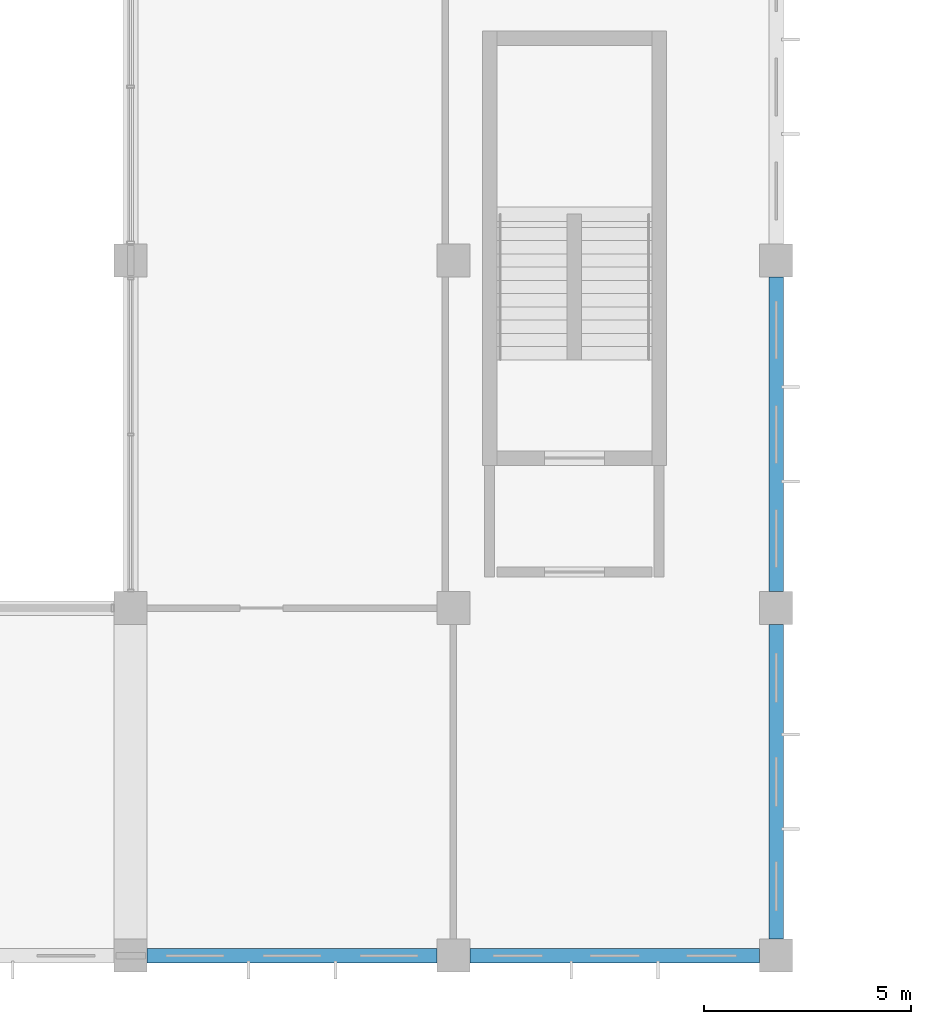
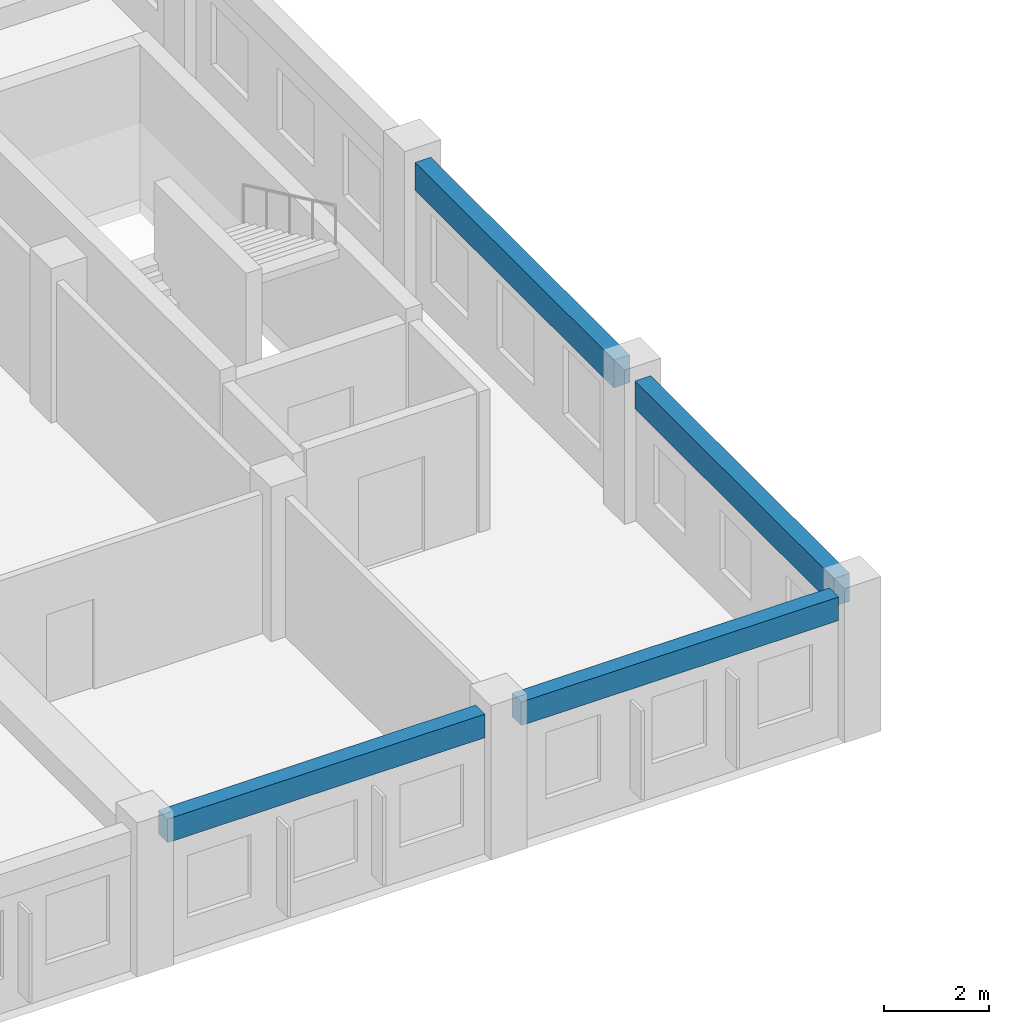
# One storey, part 15 of 50: 4 beams.
"""IFC4 building model written with IfcOpenShell, lengths in metres."""

from ifc_helpers import new_model, si_unit, direction, frame, origin, origin_2d, place, context, subcontext, project, spatial, rectangle, extrude, material, material_profile, profile_set, type_object, element, save


model = new_model("IFC4")

# Units and contexts
model_context = context("Model", 3, precision=1e-05, world=origin(), true_north=direction((0.0, 1.0)))
body_context = subcontext(model_context, "Body", "Model", "MODEL_VIEW")
ifc_project = project(units=[si_unit("LENGTHUNIT", "METRE"), si_unit("AREAUNIT", "SQUARE_METRE"), si_unit("VOLUMEUNIT", "CUBIC_METRE"), si_unit("PLANEANGLEUNIT", "RADIAN"), si_unit("MASSUNIT", "GRAM", prefix="KILO"), si_unit("THERMODYNAMICTEMPERATUREUNIT", "KELVIN"), si_unit("POWERUNIT", "WATT")], contexts=[model_context])

# Site, building, storey
site_placement = place(None, origin())
site = spatial("IfcSite", under=ifc_project, at=site_placement, CompositionType="ELEMENT")
building_placement = place(site_placement, origin())
building = spatial("IfcBuilding", under=site, at=building_placement, Name="Srebrne Nadtorze General Hospital", CompositionType="ELEMENT")
storey_placement = place(building_placement, frame((0.0, 0.0, 14.39990234375)))
storey = spatial("IfcBuildingStorey", under=building, at=storey_placement, Name="L03", CompositionType="ELEMENT", Elevation=14.39990234375)

# Beams
ifc_material_1 = material(Name="Concrete C35/45", Category="concrete")
ifc_material_profile_1 = material_profile(ifc_material_1, rectangle(XDim=0.35009765625, YDim=0.64990234375, at=origin_2d()), Name="RC-BM-350x650")
ifc_profile_set_1 = profile_set([ifc_material_profile_1], Name="Concrete C35/45")
beam_type_1 = type_object("IfcBeamType", Name="Edge beam RC 350x650", PredefinedType="BEAM", material=ifc_profile_set_1)
beam_1_placement = place(storey_placement, frame((148.199951171875, 0.39990234375, 2.945068359375), z_axis=(0.0, 1.0, 0.0), x_axis=(-1.0, 0.0, 0.0)))
element("IfcBeam", 1, at=beam_1_placement, inside=storey, type_object=beam_type_1, Name="Beam BM-L03-Y-0848", PredefinedType="BEAM", context=body_context, shape_type="SweptSolid", body=[
    extrude(rectangle(XDim=0.35009765625, YDim=0.64990234375, at=origin_2d()), origin(), (0.0, 0.0, 1.0), 7.60009765625),
])
beam_2_placement = place(storey_placement, frame((148.199951171875, 8.800048828125, 2.945068359375), z_axis=(0.0, 1.0, 0.0), x_axis=(-1.0, 0.0, 0.0)))
element("IfcBeam", 2, at=beam_2_placement, inside=storey, type_object=beam_type_1, Name="Beam BM-L03-Y-0849", PredefinedType="BEAM", context=body_context, shape_type="SweptSolid", body=[
    extrude(rectangle(XDim=0.35009765625, YDim=0.64990234375, at=origin_2d()), origin(), (0.0, 0.0, 1.0), 7.599853515625),
])
ifc_material_2 = material(Name="Concrete C35/45", Category="concrete")
ifc_material_profile_2 = material_profile(ifc_material_2, rectangle(XDim=0.35009765625, YDim=0.550048828125, at=origin_2d()), Name="RC-BM-350x550")
ifc_profile_set_2 = profile_set([ifc_material_profile_2], Name="Concrete C35/45")
beam_type_2 = type_object("IfcBeamType", Name="Spandrel lintel beam RC 350x550", PredefinedType="LINTEL", material=ifc_profile_set_2)
for number, where, z_axis, x_axis, name in (
    (3, (133.0, 0.0, 2.9951171875), (1.0, 0.0, 0.0), (0.0, 1.0, 0.0), "Beam BM-L03-X-0727"),
    (4, (140.800048828125, 0.0, 2.9951171875), (1.0, 0.0, 0.0), (0.0, 1.0, 0.0), "Beam BM-L03-X-0728"),
):
    element("IfcBeam", number, at=place(storey_placement, frame(where, z_axis=z_axis, x_axis=x_axis)), inside=storey, type_object=beam_type_2, Name=name, PredefinedType="LINTEL", context=body_context, shape_type="SweptSolid", body=[
        extrude(rectangle(XDim=0.35009765625, YDim=0.550048828125, at=origin_2d()), origin(), (0.0, 0.0, 1.0), 7.0),
    ])

save(model, "model.ifc")
